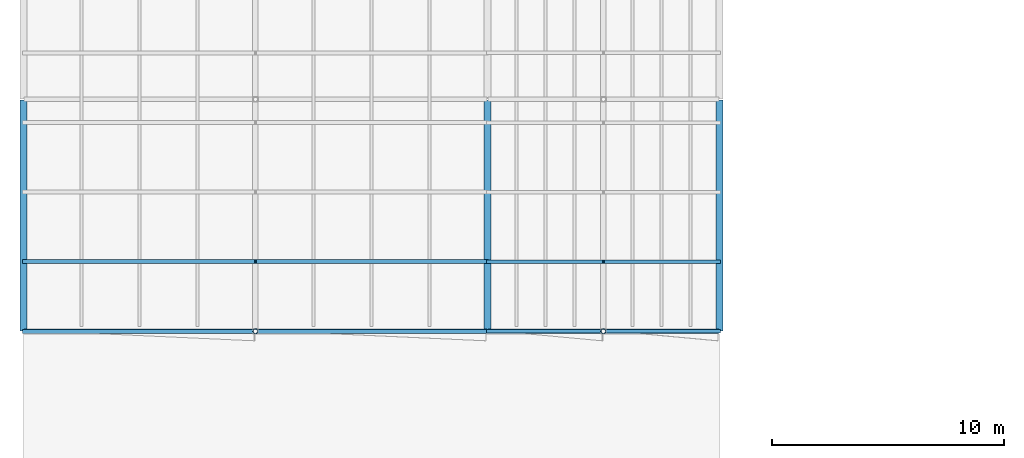
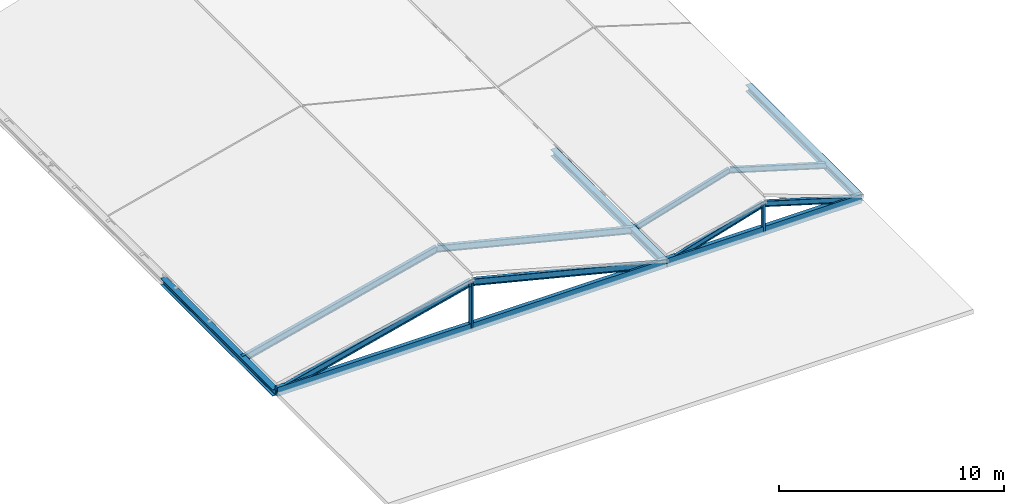
# One storey, part 1 of 90: 10 members, 5 beams.
"""IFC4 building model written with IfcOpenShell, lengths in metres."""

from ifc_helpers import new_model, si_unit, direction, frame, origin, origin_2d, place, context, subcontext, project, spatial, rectangle, hollow_circle, i_section, extrude, material, material_profile, profile_set, type_object, element, save


model = new_model("IFC4")

# Units and contexts
model_context = context("Model", 3, precision=1e-05, world=origin(), true_north=direction((0.0, 1.0)))
body_context = subcontext(model_context, "Body", "Model", "MODEL_VIEW")
ifc_project = project(units=[si_unit("LENGTHUNIT", "METRE"), si_unit("AREAUNIT", "SQUARE_METRE"), si_unit("VOLUMEUNIT", "CUBIC_METRE"), si_unit("PLANEANGLEUNIT", "RADIAN"), si_unit("MASSUNIT", "GRAM", prefix="KILO"), si_unit("THERMODYNAMICTEMPERATUREUNIT", "KELVIN"), si_unit("POWERUNIT", "WATT")], contexts=[model_context])

# Site, building, storey
site_placement = place(None, origin())
site = spatial("IfcSite", under=ifc_project, at=site_placement, CompositionType="ELEMENT")
building_placement = place(site_placement, origin())
building = spatial("IfcBuilding", under=site, at=building_placement, Name="Korenveer Ferry Terminal", CompositionType="ELEMENT")
storey_placement = place(building_placement, frame((0.0, 0.0, 22.199951171875)))
storey = spatial("IfcBuildingStorey", under=building, at=storey_placement, Name="RF", CompositionType="ELEMENT", Elevation=22.199951171875)

# Beams
ifc_material_1 = material(Name="Steel S355", Category="steel")
ifc_material_profile_1 = material_profile(ifc_material_1, i_section(OverallWidth=0.300048828125, OverallDepth=0.360107421875, WebThickness=0.012451171875, FlangeThickness=0.0224609375, FilletRadius=0.027099609375, at=origin_2d()), Name="HEB 360")
ifc_profile_set_1 = profile_set([ifc_material_profile_1], Name="Steel S355")
beam_type_1 = type_object("IfcBeamType", Name="STR-BM-HEB360", PredefinedType="BEAM", material=ifc_profile_set_1)
for number, where, z_axis, x_axis, name in (
    (1, (0.0, 30.02001953125, 0.179931640625), (0.0, 1.0, 0.0), (-1.0, 0.0, 0.0), "Wing eave beam WEST 172"),
    (2, (20.0, 30.02001953125, 0.179931640625), (0.0, 1.0, 0.0), (-1.0, 0.0, 0.0), "Wing eave beam WEST 175"),
    (3, (30.0, 30.02001953125, 0.179931640625), (0.0, 1.0, 0.0), (-1.0, 0.0, 0.0), "Wing eave beam WESTL4E 183"),
):
    element("IfcBeam", number, at=place(storey_placement, frame(where, z_axis=z_axis, x_axis=x_axis)), inside=storey, type_object=beam_type_1, Name=name, PredefinedType="BEAM", context=body_context, shape_type="SweptSolid", body=[
        extrude(i_section(OverallWidth=0.300048828125, OverallDepth=0.360107421875, WebThickness=0.012451171875, FlangeThickness=0.0224609375, FilletRadius=0.027099609375, at=origin_2d()), origin(), (0.0, 0.0, 1.0), 9.9599609375),
    ])

# Members
ifc_material_profile_2 = material_profile(ifc_material_1, i_section(OverallWidth=0.14990234375, OverallDepth=0.300048828125, WebThickness=0.007080078125, FlangeThickness=0.0107421875, FilletRadius=0.014892578125, at=origin_2d()), Name="IPE 300")
ifc_profile_set_2 = profile_set([ifc_material_profile_2], Name="Steel S355")
member_type_1 = type_object("IfcMemberType", Name="STR-RAF-IPE300", PredefinedType="RAFTER", material=ifc_profile_set_2)
for number, where, z_axis, x_axis, name in (
    (4, (20.0, 30.0, 0.179931640625), (0.957826285221, 0.0, 0.287347885566), (0.0, 1.0, 0.0), "Pitched roof rafter 107"),
    (5, (25.0, 30.0, 1.679931640625), (0.957826285221, 0.0, -0.287347885566), (0.0, 1.0, 0.0), "Pitched roof rafter 108"),
    (6, (20.0, 33.0, 0.179931640625), (0.957826285221, 0.0, 0.287347885566), (0.0, 1.0, 0.0), "Pitched roof rafter 109"),
    (7, (25.0, 33.0, 1.679931640625), (0.957826285221, 0.0, -0.287347885566), (0.0, 1.0, 0.0), "Pitched roof rafter 110"),
):
    element("IfcMember", number, at=place(storey_placement, frame(where, z_axis=z_axis, x_axis=x_axis)), inside=storey, type_object=member_type_1, Name=name, PredefinedType="RAFTER", context=body_context, shape_type="SweptSolid", body=[
        extrude(i_section(OverallWidth=0.14990234375, OverallDepth=0.300048828125, WebThickness=0.007080078125, FlangeThickness=0.0107421875, FilletRadius=0.014892578125, at=origin_2d()), origin(), (0.0, 0.0, 1.0), 5.22021484375),
    ])
ifc_material_profile_3 = material_profile(ifc_material_1, i_section(OverallWidth=0.169921875, OverallDepth=0.360107421875, WebThickness=0.008056640625, FlangeThickness=0.0126953125, FilletRadius=0.01806640625, at=origin_2d()), Name="IPE 360")
ifc_profile_set_3 = profile_set([ifc_material_profile_3], Name="Steel S355")
member_type_2 = type_object("IfcMemberType", Name="STR-RAF-IPE360", PredefinedType="RAFTER", material=ifc_profile_set_3)
for number, where, z_axis, x_axis, name in (
    (8, (0.0, 30.0, 0.179931640625), (0.970142500145, 0.0, 0.242535625036), (0.0, 1.0, 0.0), "Pitched roof rafter 85"),
    (9, (10.0, 30.0, 2.679931640625), (0.970142500145, 0.0, -0.242535625036), (0.0, 1.0, 0.0), "Pitched roof rafter 86"),
    (10, (0.0, 33.0, 0.179931640625), (0.970142500145, 0.0, 0.242535625036), (0.0, 1.0, 0.0), "Pitched roof rafter 87"),
    (11, (10.0, 33.0, 2.679931640625), (0.970142500145, 0.0, -0.242535625036), (0.0, 1.0, 0.0), "Pitched roof rafter 88"),
):
    element("IfcMember", number, at=place(storey_placement, frame(where, z_axis=z_axis, x_axis=x_axis)), inside=storey, type_object=member_type_2, Name=name, PredefinedType="RAFTER", context=body_context, shape_type="SweptSolid", body=[
        extrude(i_section(OverallWidth=0.169921875, OverallDepth=0.360107421875, WebThickness=0.008056640625, FlangeThickness=0.0126953125, FilletRadius=0.01806640625, at=origin_2d()), origin(), (0.0, 0.0, 1.0), 10.307861328125),
    ])

# Beams
ifc_material_2 = material(Name="Glulam GL28h", Category="wood")
ifc_material_profile_4 = material_profile(ifc_material_2, rectangle(XDim=0.199951171875, YDim=0.47998046875, at=origin_2d()), Name="GL 200x480")
ifc_profile_set_4 = profile_set([ifc_material_profile_4], Name="Glulam GL28h")
beam_type_2 = type_object("IfcBeamType", Name="STR-RFG-GL200", PredefinedType="USERDEFINED", material=ifc_profile_set_4)
beam_1_placement = place(storey_placement, frame((0.02001953125, 30.0, 0.239990234375), z_axis=(1.0, 0.0, 0.0), x_axis=(0.0, 1.0, 0.0)))
element("IfcBeam", 12, at=beam_1_placement, inside=storey, type_object=beam_type_2, Name="Wing roof collar tie WEST 179", ObjectType="ROOF GIRDER", PredefinedType="USERDEFINED", context=body_context, shape_type="SweptSolid", body=[
    extrude(rectangle(XDim=0.199951171875, YDim=0.47998046875, at=origin_2d()), origin(), (0.0, 0.0, 1.0), 19.9599609375),
])
beam_2_placement = place(storey_placement, frame((20.02001953125, 30.0, 0.239990234375), z_axis=(1.0, 0.0, 0.0), x_axis=(0.0, 1.0, 0.0)))
element("IfcBeam", 13, at=beam_2_placement, inside=storey, type_object=beam_type_2, Name="Wing roof collar tie WESTL4E 187", ObjectType="ROOF GIRDER", PredefinedType="USERDEFINED", context=body_context, shape_type="SweptSolid", body=[
    extrude(rectangle(XDim=0.199951171875, YDim=0.47998046875, at=origin_2d()), origin(), (0.0, 0.0, 1.0), 9.9599609375),
])

# Members
ifc_material_profile_5 = material_profile(ifc_material_1, hollow_circle(Radius=0.109619140625, WallThickness=0.012451171875, at=origin_2d()), Name="CHS 219.1x12.5")
ifc_profile_set_5 = profile_set([ifc_material_profile_5], Name="Steel S355")
member_type_3 = type_object("IfcMemberType", Name="STR-STT-CHS219", PredefinedType="STRUT", material=ifc_profile_set_5)
member_1_placement = place(storey_placement, frame((10.0, 30.0, 0.179931640625), z_axis=(0.0, 0.0, 1.0), x_axis=(1.0, 0.0, 0.0)))
element("IfcMember", 14, at=member_1_placement, inside=storey, type_object=member_type_3, Name="Wing ridge strut STTWR-WEST-Y30", PredefinedType="STRUT", context=body_context, shape_type="SweptSolid", body=[
    extrude(hollow_circle(Radius=0.109619140625, WallThickness=0.012451171875, at=origin_2d()), origin(), (0.0, 0.0, 1.0), 2.5),
])
member_2_placement = place(storey_placement, frame((25.0, 30.0, 0.179931640625), z_axis=(0.0, 0.0, 1.0), x_axis=(1.0, 0.0, 0.0)))
element("IfcMember", 15, at=member_2_placement, inside=storey, type_object=member_type_3, Name="Wing ridge strut STTWR-WESTL4E-Y30", PredefinedType="STRUT", context=body_context, shape_type="SweptSolid", body=[
    extrude(hollow_circle(Radius=0.109619140625, WallThickness=0.012451171875, at=origin_2d()), origin(), (0.0, 0.0, 1.0), 1.5),
])

save(model, "model.ifc")
